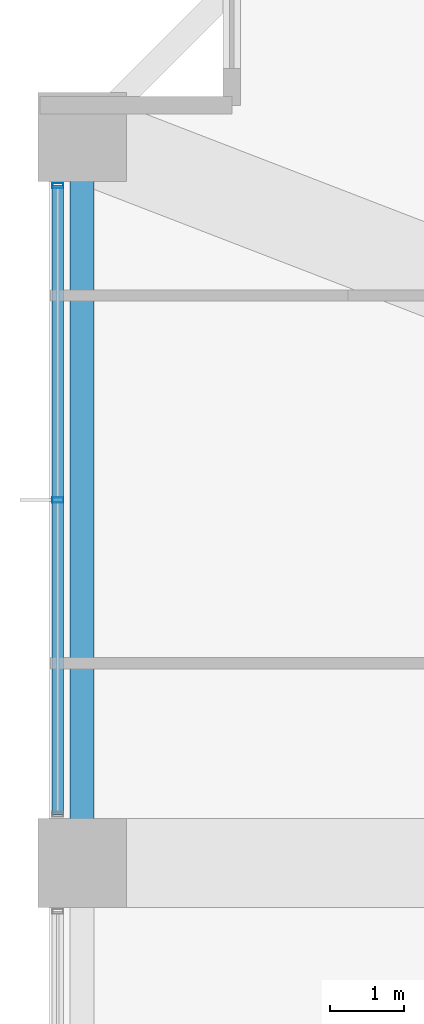
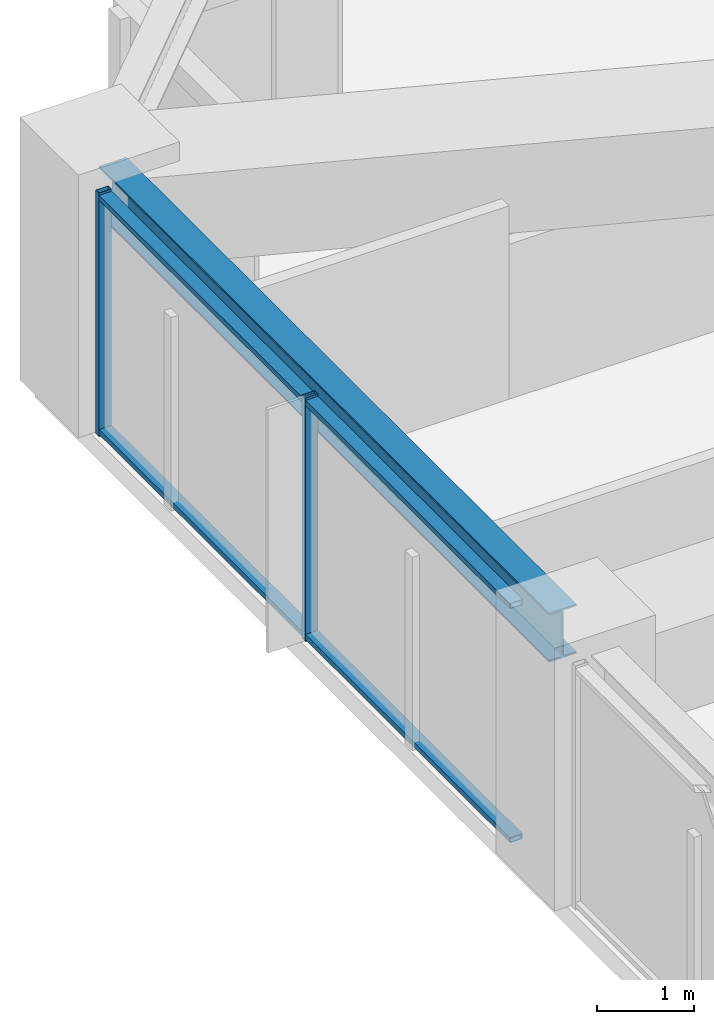
# One storey, part 17 of 37: 4 members, 1 beam, 1 element without a shape of its own.
"""IFC4 building model written with IfcOpenShell, lengths in metres."""

from ifc_helpers import new_model, si_unit, direction, frame, origin, origin_2d, place, context, subcontext, project, spatial, hollow_rectangle, i_section, extrude, material, material_profile, profile_set, type_object, element, aggregate, save


model = new_model("IFC4")

# Units and contexts
model_context = context("Model", 3, precision=1e-05, world=origin(), true_north=direction((0.0, 1.0)))
body_context = subcontext(model_context, "Body", "Model", "MODEL_VIEW")
ifc_project = project(units=[si_unit("LENGTHUNIT", "METRE"), si_unit("AREAUNIT", "SQUARE_METRE"), si_unit("VOLUMEUNIT", "CUBIC_METRE"), si_unit("PLANEANGLEUNIT", "RADIAN"), si_unit("MASSUNIT", "GRAM", prefix="KILO")], contexts=[model_context])

# Site, building, storey
site_placement = place(None, origin())
site = spatial("IfcSite", under=ifc_project, at=site_placement, CompositionType="ELEMENT")
building_placement = place(site_placement, origin())
building = spatial("IfcBuilding", under=site, at=building_placement, Name="Kolvaren Belvedere", CompositionType="ELEMENT")
storey_placement = place(building_placement, frame((0.0, 0.0, 37.0)))
storey = spatial("IfcBuildingStorey", under=building, at=storey_placement, Name="L10", CompositionType="ELEMENT", Elevation=37.0)

# Beam
ifc_material_1 = material(Name="Structural steel ASTM A992 Grade 50", Category="steel")
ifc_material_profile_1 = material_profile(ifc_material_1, i_section(OverallWidth=0.324951171875, OverallDepth=0.615966796875, WebThickness=0.013916015625, FlangeThickness=0.021484375, FilletRadius=0.02001953125, at=origin_2d()), Name="W24X117")
ifc_profile_set_1 = profile_set([ifc_material_profile_1], Name="Structural steel ASTM A992 Grade 50")
beam_type = type_object("IfcBeamType", Name="BM-SPAN-W24X117", PredefinedType="SPANDREL", material=ifc_profile_set_1)
beam_placement = place(storey_placement, frame((-21.550048828125, 14.1298828125, 2.751953125), z_axis=(0.0, -1.0, 0.0), x_axis=(1.0, 0.0, 0.0)))
element("IfcBeam", 1, at=beam_placement, inside=storey, type_object=beam_type, Name="L10 Perimeter Spandrel W4-W3", PredefinedType="SPANDREL", context=body_context, shape_type="SweptSolid", body=[
    extrude(i_section(OverallWidth=0.324951171875, OverallDepth=0.615966796875, WebThickness=0.013916015625, FlangeThickness=0.021484375, FilletRadius=0.02001953125, at=origin_2d()), origin(), (0.0, 0.0, 1.0), 9.259765625),
])

# Curtain wall, members
ifc_material_2 = material(Name="Anodised pale-metal aluminium AA 6063-T6", Category="aluminium")
curtain_wall_type = type_object("IfcCurtainWallType", Name="CW-Z1-LOW", PredefinedType="NOTDEFINED", material=ifc_material_2)
curtain_wall_placement = place(storey_placement, origin())
curtain_wall = element("IfcCurtainWall", 2, at=curtain_wall_placement, inside=storey, type_object=curtain_wall_type, Name="L10 Unitised Curtain Wall FCW-L10-W-B3", PredefinedType="NOTDEFINED")
ifc_material_3 = material(Name="Anodised pale-metal aluminium AA 6063-T6", Category="aluminium")
ifc_material_profile_2 = material_profile(ifc_material_3, hollow_rectangle(XDim=0.070068359375, YDim=0.14990234375, WallThickness=0.004150390625, at=origin_2d()), Name="ALU-MUL-150X70")
ifc_profile_set_2 = profile_set([ifc_material_profile_2], Name="Anodised pale-metal aluminium AA 6063-T6")
member_type_1 = type_object("IfcMemberType", Name="CW-MUL-150", PredefinedType="MULLION", material=ifc_profile_set_2)
member_1_placement = place(storey_placement, frame((-21.8798828125, 9.5, 0.0), z_axis=(0.0, 0.0, 1.0), x_axis=(0.0, 1.0, 0.0)))
member_1 = element("IfcMember", 3, at=member_1_placement, type_object=member_type_1, Name="FCW-L10-W-B3 Unitised Mullion 2", PredefinedType="MULLION", context=body_context, shape_type="SweptSolid", body=[
    extrude(hollow_rectangle(XDim=0.070068359375, YDim=0.14990234375, WallThickness=0.004150390625, at=origin_2d()), origin(), (0.0, 0.0, 1.0), 3.06005859375),
])
member_2_placement = place(storey_placement, frame((-21.8798828125, 13.7451171875, 0.0), z_axis=(0.0, 0.0, 1.0), x_axis=(0.0, 1.0, 0.0)))
member_2 = element("IfcMember", 4, at=member_2_placement, type_object=member_type_1, Name="FCW-L10-W-B3 Unitised Mullion 3", PredefinedType="MULLION", context=body_context, shape_type="SweptSolid", body=[
    extrude(hollow_rectangle(XDim=0.070068359375, YDim=0.14990234375, WallThickness=0.004150390625, at=origin_2d()), origin(), (0.0, 0.0, 1.0), 3.06005859375),
])
ifc_material_4 = material(Name="Anodised pale-metal aluminium AA 6063-T6", Category="aluminium")
ifc_material_profile_3 = material_profile(ifc_material_4, hollow_rectangle(XDim=0.06494140625, YDim=0.14990234375, WallThickness=0.00390625, at=origin_2d()), Name="ALU-TRN-150X65")
ifc_profile_set_3 = profile_set([ifc_material_profile_3], Name="Anodised pale-metal aluminium AA 6063-T6")
member_type_2 = type_object("IfcMemberType", Name="CW-TRN-150", PredefinedType="USERDEFINED", material=ifc_profile_set_3)
member_3_placement = place(storey_placement, frame((-21.8798828125, 5.2548828125, 0.06005859375), z_axis=(0.0, 1.0, 0.0), x_axis=(0.0, 0.0, 1.0)))
member_3 = element("IfcMember", 5, at=member_3_placement, type_object=member_type_2, Name="FCW-L10-W-B3 Sill Transom", ObjectType="TRANSOM", PredefinedType="USERDEFINED", context=body_context, shape_type="SweptSolid", body=[
    extrude(hollow_rectangle(XDim=0.06494140625, YDim=0.14990234375, WallThickness=0.00390625, at=origin_2d()), origin(), (0.0, 0.0, 1.0), 8.490234375),
])
member_4_placement = place(storey_placement, frame((-21.8798828125, 5.2548828125, 3.0), z_axis=(0.0, 1.0, 0.0), x_axis=(0.0, 0.0, 1.0)))
member_4 = element("IfcMember", 6, at=member_4_placement, type_object=member_type_2, Name="FCW-L10-W-B3 Head Transom", ObjectType="TRANSOM", PredefinedType="USERDEFINED", context=body_context, shape_type="SweptSolid", body=[
    extrude(hollow_rectangle(XDim=0.06494140625, YDim=0.14990234375, WallThickness=0.00390625, at=origin_2d()), origin(), (0.0, 0.0, 1.0), 8.490234375),
])
aggregate(curtain_wall, [member_1, member_2, member_3, member_4])

save(model, "model.ifc")
